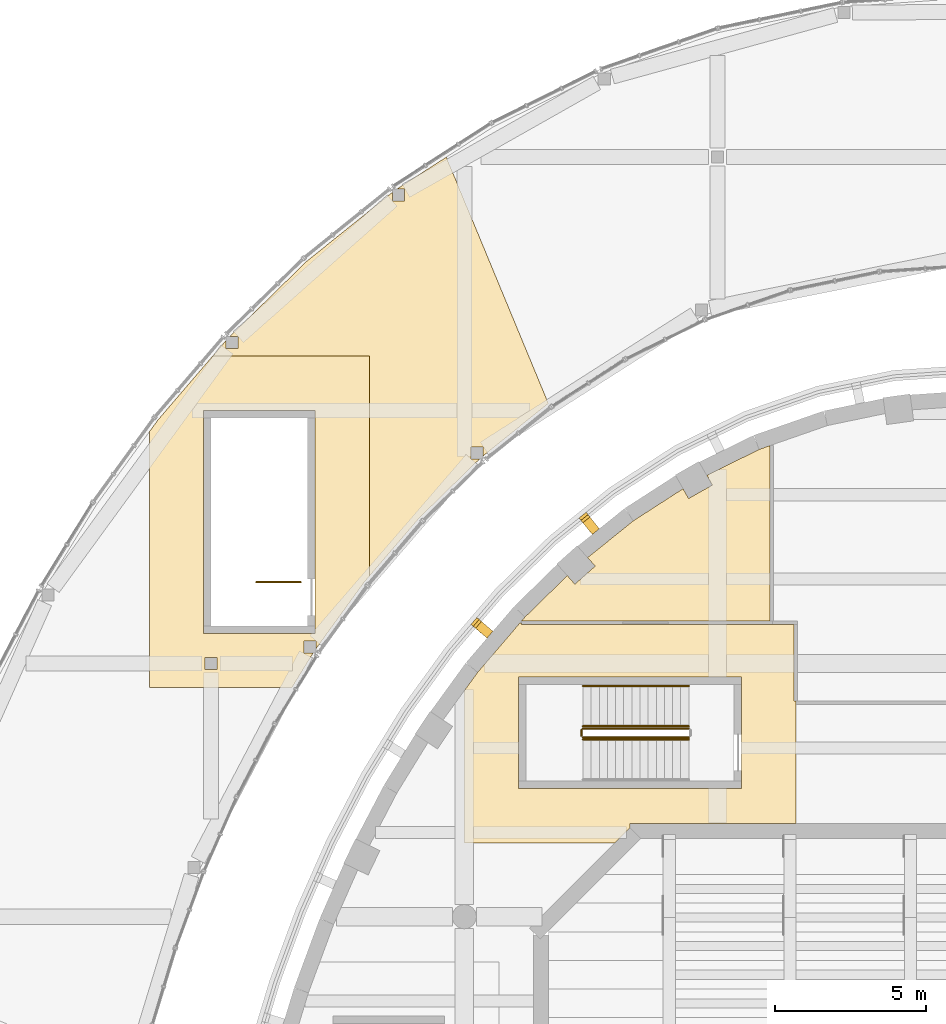
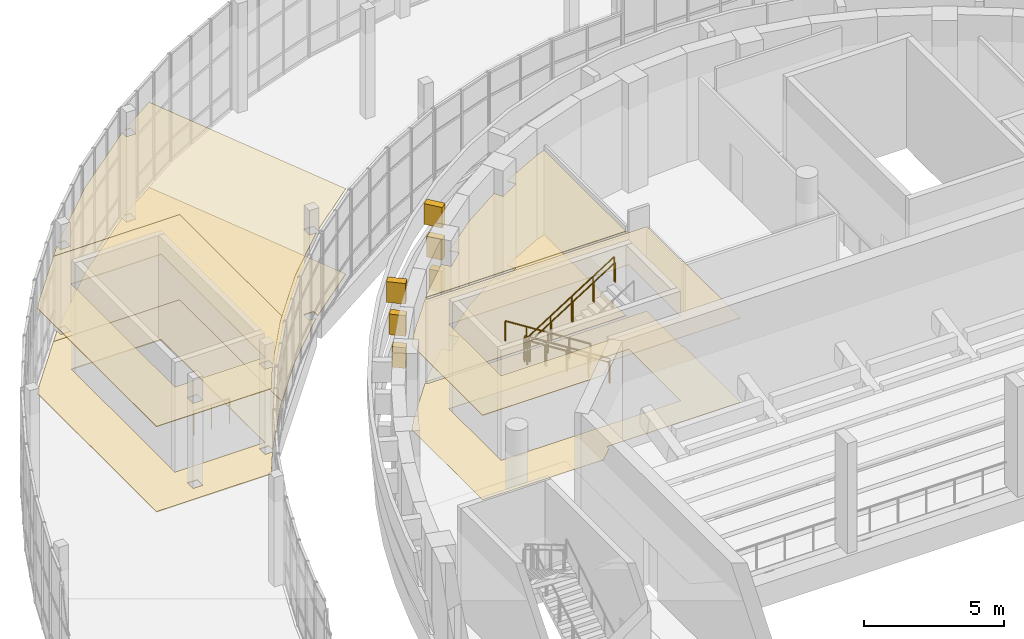
# One storey, part 95 of 103: 14 coverings, 7 railings.
"""IFC4 building model written with IfcOpenShell, lengths in metres."""

import ifcopenshell
import ifcopenshell.guid

model = None  # the IFC model being written
_history = None  # IfcOwnerHistory: only IFC2X3 demands one
_inside = {}  # id of a spatial element -> (the spatial element, [elements in it])
_under = {}  # id of a project, library or spatial element -> (it, [spatial elements below it])
_declared = {}  # id of a project -> (the project, [libraries it declares])
_typed = {}  # id of a type object -> (the type object, [elements of that type])
_made_of = {}  # id of a material, layer set ... -> (it, [elements and type objects made of it])


def new_model(schema):
    """Start an empty IFC model of exactly this schema.

    Asked for "IFC4X3", IfcOpenShell would pick the latest addendum, in which some entities
    have other attributes; the version numbers below select the first issue.
    IFC2X3 requires an IfcOwnerHistory on every rooted entity: one is made here for all.
    """
    global model, _history
    if schema == "IFC4X3":
        model = ifcopenshell.file(schema_version=(4, 3, 0, 0))
    else:
        model = ifcopenshell.file(schema=schema)
    _inside.clear()
    _under.clear()
    _declared.clear()
    _typed.clear()
    _made_of.clear()
    _history = None
    if model.schema == "IFC2X3":
        org = make("IfcOrganization", Name="unknown")
        user = make(
            "IfcPersonAndOrganization",
            ThePerson=make("IfcPerson", FamilyName="unknown"),
            TheOrganization=org,
        )
        app = make(
            "IfcApplication",
            ApplicationDeveloper=org,
            Version="unknown",
            ApplicationFullName="unknown",
            ApplicationIdentifier="unknown",
        )
        _history = make(
            "IfcOwnerHistory",
            OwningUser=user,
            OwningApplication=app,
            ChangeAction="ADDED",
            CreationDate=0,
        )
    return model


def make(cls, **values):
    """One entity of the class cls with the attributes given. An attribute that is None is left unset."""
    return model.create_entity(
        cls, **{name: value for name, value in values.items() if value is not None}
    )


def rooted(cls, **values):
    """An entity with a GlobalId (a new one), such as an element, a storey or a relation."""
    return make(cls, GlobalId=ifcopenshell.guid.new(), OwnerHistory=_history, **values)


def si_unit(unit_type, name, prefix=None):
    """IfcSIUnit, for example si_unit("LENGTHUNIT", "METRE", prefix="MILLI")."""
    return make("IfcSIUnit", UnitType=unit_type, Prefix=prefix, Name=name)


def assignment(units):
    """IfcUnitAssignment: the units of a project."""
    return None if units is None else make("IfcUnitAssignment", Units=units)


def point(xyz):
    """IfcCartesianPoint."""
    return None if xyz is None else make("IfcCartesianPoint", Coordinates=xyz)


def direction(xyz):
    """IfcDirection."""
    return None if xyz is None else make("IfcDirection", DirectionRatios=xyz)


def frame(location, z_axis=None, x_axis=None):
    """IfcAxis2Placement3D, a coordinate frame: its origin and axes. An axis left out is left unset."""
    return make(
        "IfcAxis2Placement3D",
        Location=point(location),
        Axis=direction(z_axis),
        RefDirection=direction(x_axis),
    )


def frame_2d(location, x_axis=None):
    """IfcAxis2Placement2D, a coordinate frame in the plane: its origin and x axis."""
    return make(
        "IfcAxis2Placement2D", Location=point(location), RefDirection=direction(x_axis)
    )


def origin():
    """The frame at (0, 0, 0) with its axes left unset."""
    return frame((0.0, 0.0, 0.0))


def origin_2d():
    """The frame at (0, 0) in the plane with its x axis left unset."""
    return frame_2d((0.0, 0.0))


def place(relative_to, where):
    """IfcLocalPlacement: puts the frame where relative to a parent placement (None: the world)."""
    return make(
        "IfcLocalPlacement", PlacementRelTo=relative_to, RelativePlacement=where
    )


def context(
    kind, dimensions, precision=None, world=None, true_north=None, identifier=None
):
    """IfcGeometricRepresentationContext, for example the 3D "Model" context."""
    return make(
        "IfcGeometricRepresentationContext",
        ContextIdentifier=identifier,
        ContextType=kind,
        CoordinateSpaceDimension=dimensions,
        Precision=precision,
        WorldCoordinateSystem=world,
        TrueNorth=true_north,
    )


def subcontext(parent, identifier, kind, view, scale=None):
    """IfcGeometricRepresentationSubContext, for example "Body" below "Model"."""
    return make(
        "IfcGeometricRepresentationSubContext",
        ContextIdentifier=identifier,
        ContextType=kind,
        ParentContext=parent,
        TargetScale=scale,
        TargetView=view,
    )


def project(units=None, contexts=None):
    """IfcProject with its units and contexts."""
    return rooted(
        "IfcProject",
        Name="project",
        RepresentationContexts=contexts,
        UnitsInContext=assignment(units),
    )


def spatial(cls, under=None, at=None, **own):
    """A site, building, storey or space (cls), placed at a placement, below another one or the project."""
    s = rooted(cls, ObjectPlacement=at, **own)
    if under is not None:
        _under.setdefault(under.id(), (under, []))[1].append(s)
    return s


def polyline(points):
    """IfcPolyline through the points."""
    return make("IfcPolyline", Points=[point(p) for p in points])


def profile(cls, at=None, kind="AREA", **sizes):
    """A parametric profile (cls). Its sizes go by their IFC names, for example OverallWidth=200.0."""
    return make(cls, ProfileType=kind, Position=at, **sizes)


def rectangle(**sizes):
    """IfcRectangleProfileDef."""
    return profile("IfcRectangleProfileDef", **sizes)


def circle(**sizes):
    """IfcCircleProfileDef."""
    return profile("IfcCircleProfileDef", **sizes)


def outline(outer, holes=None, kind="AREA"):
    """IfcArbitraryClosedProfileDef: a profile drawn as a closed curve; with holes, ...WithVoids."""
    if holes is None:
        return make("IfcArbitraryClosedProfileDef", ProfileType=kind, OuterCurve=outer)
    return make(
        "IfcArbitraryProfileDefWithVoids",
        ProfileType=kind,
        OuterCurve=outer,
        InnerCurves=holes,
    )


def extrude(swept, where, along, depth):
    """IfcExtrudedAreaSolid: the profile swept, set in the frame where, extruded along a direction by depth."""
    return make(
        "IfcExtrudedAreaSolid",
        SweptArea=swept,
        Position=where,
        ExtrudedDirection=direction(along),
        Depth=depth,
    )


def shape(context_of_items, identifier, shape_type, items):
    """IfcShapeRepresentation: the items that make up one representation, for example the "Body"."""
    return make(
        "IfcShapeRepresentation",
        ContextOfItems=context_of_items,
        RepresentationIdentifier=identifier,
        RepresentationType=shape_type,
        Items=items,
    )


def material(Name=None, Category=None):
    """IfcMaterial."""
    return make("IfcMaterial", Name=Name, Category=Category)


def layer(
    of_material, thickness, ventilated=None, Name=None, Category=None, Priority=None
):
    """IfcMaterialLayer: one layer of a wall or slab, of a material (None: an air gap)."""
    return make(
        "IfcMaterialLayer",
        Material=of_material,
        LayerThickness=thickness,
        IsVentilated=ventilated,
        Name=Name,
        Category=Category,
        Priority=Priority,
    )


def layer_set(layers, Name=None):
    """IfcMaterialLayerSet."""
    return make("IfcMaterialLayerSet", MaterialLayers=layers, LayerSetName=Name)


def made_of(thing, what):
    """Note that an element or type object is made of a material, layer set ...; save() writes the relation."""
    if what is not None:
        _made_of.setdefault(what.id(), (what, []))[1].append(thing)
    return thing


def type_object(cls, material=None, **own):
    """A type object (cls), such as IfcWallType, which elements share."""
    return made_of(rooted(cls, **own), material)


def element(
    cls,
    number,
    at=None,
    inside=None,
    cuts=None,
    type_object=None,
    material=None,
    context=None,
    identifier="Body",
    shape_type=None,
    held_by="IfcProductDefinitionShape",
    body=None,
    shapes=None,
    **own,
):
    """One element of the class cls, such as IfcWall. Its Tag is "e" and its number.

    at: its placement. inside: the storey or other place that contains it. cuts: it is an
    opening in that element (IfcRelVoidsElement). A single representation is given by context,
    identifier, shape_type and body (its items); several are given by shapes. held_by: the class
    of the entity that holds the representations. save() writes the other relations.
    """
    e = rooted(cls, Tag="e%d" % number, ObjectPlacement=at, **own)
    if body is not None:
        shapes = [shape(context, identifier, shape_type, body)]
    if shapes is not None:
        e.Representation = make(held_by, Representations=shapes)
    if inside is not None:
        _inside.setdefault(inside.id(), (inside, []))[1].append(e)
    if cuts is not None:
        rooted(
            "IfcRelVoidsElement", RelatingBuildingElement=cuts, RelatedOpeningElement=e
        )
    if type_object is not None:
        _typed.setdefault(type_object.id(), (type_object, []))[1].append(e)
    return made_of(e, material)


def aggregate(whole, parts):
    """IfcRelAggregates: a whole, such as a stair, and the parts it consists of."""
    return rooted("IfcRelAggregates", RelatingObject=whole, RelatedObjects=parts)


def save(model, path):
    """Write the relations noted so far, then the file.

    IfcRelAggregates (storeys below a building ...), IfcRelContainedInSpatialStructure (elements
    in a storey), IfcRelDefinesByType, IfcRelAssociatesMaterial and IfcRelDeclares: one each for
    every whole, place, type object, material and project.
    """
    for whole, parts in _under.values():
        aggregate(whole, parts)
    for where, things in _inside.values():
        rooted(
            "IfcRelContainedInSpatialStructure",
            RelatedElements=things,
            RelatingStructure=where,
        )
    for kind, things in _typed.values():
        rooted("IfcRelDefinesByType", RelatedObjects=things, RelatingType=kind)
    for what, things in _made_of.values():
        rooted("IfcRelAssociatesMaterial", RelatedObjects=things, RelatingMaterial=what)
    for by, libraries in _declared.values():
        rooted("IfcRelDeclares", RelatingContext=by, RelatedDefinitions=libraries)
    model.write(path)


model = new_model("IFC4")

# Units and contexts
model_context = context("Model", 3, precision=1e-05, world=origin(), true_north=direction((0.0, 1.0)))
body_context = subcontext(model_context, "Body", "Model", "MODEL_VIEW")
ifc_project = project(units=[si_unit("LENGTHUNIT", "METRE"), si_unit("AREAUNIT", "SQUARE_METRE"), si_unit("VOLUMEUNIT", "CUBIC_METRE"), si_unit("PLANEANGLEUNIT", "RADIAN"), si_unit("MASSUNIT", "GRAM", prefix="KILO")], contexts=[model_context])

# Site, building, storey
site_placement = place(None, origin())
site = spatial("IfcSite", under=ifc_project, at=site_placement, CompositionType="ELEMENT")
building_placement = place(site_placement, origin())
building = spatial("IfcBuilding", under=site, at=building_placement, Name="Larchfold Concert Hall", CompositionType="ELEMENT")
storey_placement = place(building_placement, frame((0.0, 0.0, 9.60009765625)))
storey = spatial("IfcBuildingStorey", under=building, at=storey_placement, Name="L02", CompositionType="ELEMENT", Elevation=9.60009765625)

# Coverings
ifc_material_1 = material(Name="Mineral fibre ceiling tile")
ifc_layer_1 = layer(ifc_material_1, 0.02001953125)
ifc_layer_set_1 = layer_set([ifc_layer_1], Name="Mineral fibre ceiling tile")
covering_type_1 = type_object("IfcCoveringType", Name="Ceiling mineral fibre tile 20", PredefinedType="CEILING", material=ifc_layer_set_1)
covering_1_placement = place(storey_placement, frame((0.0, 0.0, 3.679931640625)))
element("IfcCovering", 1, at=covering_1_placement, inside=storey, type_object=covering_type_1, Name="Ceiling Corridor 01", PredefinedType="CEILING", context=body_context, shape_type="SweptSolid", body=[
    extrude(outline(polyline([(27.69091796875, 111.1494140625), (27.646484375, 111.1494140625), (26.246337890625, 109.514892578125), (25.80078125, 108.899658203125), (25.801025390625, 103.850830078125), (30.797119140625, 103.8505859375), (31.300048828125, 104.353515625), (31.300048828125, 104.5), (36.799072265625, 104.5), (36.799072265625, 108.56494140625), (36.736572265625, 108.56494140625), (36.736572265625, 111.08642578125), (36.02099609375, 111.08642578125), (36.02001953125, 111.149169921875), (36.02001953125, 111.08642578125), (27.69091796875, 111.08642578125), (27.69091796875, 111.1494140625)]), holes=[polyline([(27.60009765625, 109.35009765625), (35.0, 109.35009765625), (35.0, 105.64990234375), (27.60009765625, 105.64990234375), (27.60009765625, 109.35009765625)])]), origin(), (0.0, 0.0, 1.0), 0.02001953125),
])
ifc_material_2 = material(Name="Plasterboard ceiling lining")
ifc_layer_2 = layer(ifc_material_2, 0.030029296875)
ifc_layer_set_2 = layer_set([ifc_layer_2], Name="Plasterboard ceiling lining")
covering_type_2 = type_object("IfcCoveringType", Name="Ceiling suspended plasterboard 30", PredefinedType="CEILING", material=ifc_layer_set_2)
covering_2_placement = place(storey_placement, frame((0.0, 0.0, 3.669921875)))
element("IfcCovering", 2, at=covering_2_placement, inside=storey, type_object=covering_type_2, Name="Ceiling Balcony Cloakroom", PredefinedType="CEILING", context=body_context, shape_type="SweptSolid", body=[
    extrude(outline(polyline([(27.8154296875, 111.3466796875), (27.699462890625, 111.21142578125), (36.0, 111.21142578125), (35.949951171875, 111.215087890625), (35.949951171875, 117.03271484375), (35.59130859375, 116.907958984375), (33.841064453125, 116.04443359375), (34.025390625, 115.72021484375), (33.2431640625, 115.275390625), (33.057861328125, 115.600830078125), (31.41455078125, 114.541748046875), (29.89013671875, 113.314453125), (30.140869140625, 113.03271484375), (29.46875, 112.434326171875), (29.217041015625, 112.717041015625), (27.8154296875, 111.3466796875)])), origin(), (0.0, 0.0, 1.0), 0.030029296875),
])
covering_3_placement = place(storey_placement, frame((0.0, 0.0, 3.719970703125)))
element("IfcCovering", 3, at=covering_3_placement, inside=storey, type_object=covering_type_2, Name="Ceiling Foyer 01", PredefinedType="CEILING", context=body_context, shape_type="SweptSolid", body=[
    extrude(outline(polyline([(20.0810546875, 109.0009765625), (20.788818359375, 110.151123046875), (20.47802734375, 110.151123046875), (20.47802734375, 110.551025390625), (20.8779296875, 110.551025390625), (20.8779296875, 110.285888671875), (22.4736328125, 112.489013671875), (22.6494140625, 112.694091796875), (22.649169921875, 119.9990234375), (17.451416015625, 119.999267578125), (15.6357421875, 117.87939453125), (15.350341796875, 117.485595703125), (15.350830078125, 109.0009765625), (20.0810546875, 109.0009765625)]), holes=[polyline([(17.14990234375, 110.800048828125), (17.14990234375, 118.199951171875), (20.85009765625, 118.199951171875), (20.85009765625, 110.800048828125), (17.14990234375, 110.800048828125)]), polyline([(17.599853515625, 109.60009765625), (17.199951171875, 109.60009765625), (17.199951171875, 110.0), (17.599853515625, 110.0), (17.599853515625, 109.60009765625)])]), origin(), (0.0, 0.0, 1.0), 0.030029296875),
])
covering_4_placement = place(storey_placement, frame((0.0, 0.0, 3.719970703125)))
element("IfcCovering", 4, at=covering_4_placement, inside=storey, type_object=covering_type_2, Name="Ceiling Winter Garden Foyer North West 01", PredefinedType="CEILING", context=body_context, shape_type="SweptSolid", body=[
    extrude(outline(polyline([(17.89697265625, 120.519287109375), (17.4521484375, 120.0), (22.64794921875, 119.996337890625), (22.650146484375, 112.69482421875), (24.3076171875, 114.630126953125), (26.307861328125, 116.5859375), (26.029052734375, 116.5859375), (26.029052734375, 116.98583984375), (26.428955078125, 116.98583984375), (26.428955078125, 116.6904296875), (28.5888671875, 118.4287109375), (25.203369140625, 126.599365234375), (23.561279296875, 125.541015625), (23.821044921875, 125.541015625), (23.821044921875, 125.14111328125), (23.421142578125, 125.14111328125), (23.421142578125, 125.4375), (20.566650390625, 123.14013671875), (18.01513671875, 120.64501953125), (18.296875, 120.64501953125), (18.296875, 120.2451171875), (17.89697265625, 120.2451171875), (17.89697265625, 120.519287109375)])), origin(), (0.0, 0.0, 1.0), 0.030029296875),
])
ifc_material_3 = material(Name="Polished terrazzo")
ifc_layer_3 = layer(ifc_material_3, 0.0400390625)
ifc_layer_set_3 = layer_set([ifc_layer_3], Name="Polished terrazzo")
covering_type_3 = type_object("IfcCoveringType", Name="Floor finish terrazzo 40", PredefinedType="FLOORING", material=ifc_layer_set_3)
covering_5_placement = place(storey_placement, origin())
element("IfcCovering", 5, at=covering_5_placement, inside=storey, type_object=covering_type_3, Name="Floor finish Foyer 01", PredefinedType="FLOORING", context=body_context, shape_type="SweptSolid", body=[
    extrude(outline(polyline([(20.0810546875, 109.0009765625), (20.788818359375, 110.151123046875), (20.47802734375, 110.151123046875), (20.47802734375, 110.551025390625), (20.8779296875, 110.551025390625), (20.8779296875, 110.285888671875), (22.4736328125, 112.489013671875), (22.6494140625, 112.694091796875), (22.649169921875, 119.9990234375), (17.451416015625, 119.999267578125), (15.6357421875, 117.87939453125), (15.350341796875, 117.485595703125), (15.350830078125, 109.0009765625), (20.0810546875, 109.0009765625)]), holes=[polyline([(17.14990234375, 110.800048828125), (17.14990234375, 118.199951171875), (20.85009765625, 118.199951171875), (20.85009765625, 110.800048828125), (17.14990234375, 110.800048828125)]), polyline([(17.599853515625, 109.60009765625), (17.199951171875, 109.60009765625), (17.199951171875, 110.0), (17.599853515625, 110.0), (17.599853515625, 109.60009765625)])]), origin(), (0.0, 0.0, 1.0), 0.0400390625),
])
covering_6_placement = place(storey_placement, origin())
element("IfcCovering", 6, at=covering_6_placement, inside=storey, type_object=covering_type_3, Name="Floor finish Winter Garden Foyer North West 01", PredefinedType="FLOORING", context=body_context, shape_type="SweptSolid", body=[
    extrude(outline(polyline([(17.89697265625, 120.519287109375), (17.4521484375, 120.0), (22.64794921875, 119.996337890625), (22.650146484375, 112.69482421875), (24.3076171875, 114.630126953125), (26.307861328125, 116.5859375), (26.029052734375, 116.5859375), (26.029052734375, 116.98583984375), (26.428955078125, 116.98583984375), (26.428955078125, 116.6904296875), (28.5888671875, 118.4287109375), (25.203369140625, 126.599365234375), (23.561279296875, 125.541015625), (23.821044921875, 125.541015625), (23.821044921875, 125.14111328125), (23.421142578125, 125.14111328125), (23.421142578125, 125.4375), (20.566650390625, 123.14013671875), (18.01513671875, 120.64501953125), (18.296875, 120.64501953125), (18.296875, 120.2451171875), (17.89697265625, 120.2451171875), (17.89697265625, 120.519287109375)])), origin(), (0.0, 0.0, 1.0), 0.0400390625),
])
ifc_material_4 = material(Name="Linoleum sheet")
ifc_layer_4 = layer(ifc_material_4, 0.02001953125)
ifc_layer_set_4 = layer_set([ifc_layer_4], Name="Linoleum sheet")
covering_type_4 = type_object("IfcCoveringType", Name="Floor finish vinyl 20", PredefinedType="FLOORING", material=ifc_layer_set_4)
covering_7_placement = place(storey_placement, origin())
element("IfcCovering", 7, at=covering_7_placement, inside=storey, type_object=covering_type_4, Name="Floor finish Corridor 01", PredefinedType="FLOORING", context=body_context, shape_type="SweptSolid", body=[
    extrude(outline(polyline([(27.69091796875, 111.1494140625), (27.646484375, 111.1494140625), (26.246337890625, 109.514892578125), (25.80078125, 108.899658203125), (25.801025390625, 103.850830078125), (30.797119140625, 103.8505859375), (31.300048828125, 104.353515625), (31.300048828125, 104.5), (36.799072265625, 104.5), (36.799072265625, 108.56494140625), (36.736572265625, 108.56494140625), (36.736572265625, 111.08642578125), (36.02099609375, 111.08642578125), (36.02001953125, 111.149169921875), (36.02001953125, 111.08642578125), (27.69091796875, 111.08642578125), (27.69091796875, 111.1494140625)]), holes=[polyline([(27.60009765625, 109.35009765625), (35.0, 109.35009765625), (35.0, 105.64990234375), (27.60009765625, 105.64990234375), (27.60009765625, 109.35009765625)])]), origin(), (0.0, 0.0, 1.0), 0.02001953125),
])
covering_8_placement = place(storey_placement, origin())
element("IfcCovering", 8, at=covering_8_placement, inside=storey, type_object=covering_type_4, Name="Floor finish Balcony Cloakroom", PredefinedType="FLOORING", context=body_context, shape_type="SweptSolid", body=[
    extrude(outline(polyline([(27.8154296875, 111.3466796875), (27.699462890625, 111.21142578125), (36.0, 111.21142578125), (35.949951171875, 111.215087890625), (35.949951171875, 117.03271484375), (35.59130859375, 116.907958984375), (33.841064453125, 116.04443359375), (34.025390625, 115.72021484375), (33.2431640625, 115.275390625), (33.057861328125, 115.600830078125), (31.41455078125, 114.541748046875), (29.89013671875, 113.314453125), (30.140869140625, 113.03271484375), (29.46875, 112.434326171875), (29.217041015625, 112.717041015625), (27.8154296875, 111.3466796875)])), origin(), (0.0, 0.0, 1.0), 0.02001953125),
])
ifc_material_5 = material(Name="Galvanised steel bracket", Category="steel")
ifc_layer_5 = layer(ifc_material_5, 0.300048828125)
ifc_layer_set_5 = layer_set([ifc_layer_5], Name="Galvanised steel bracket")
covering_type_5 = type_object("IfcCoveringType", Name="Ring support bracket", PredefinedType="CLADDING", material=ifc_layer_set_5)
for number, where, z_axis, x_axis, name in (
    (9, (30.00732421875, 114.37158203125, 1.349853515625), (0.0, 0.0, 1.0), (-0.626932967102, 0.77907320244, 0.0), "Ring bracket BR-R03-13"),
    (10, (26.4619140625, 110.91943359375, 1.349853515625), (0.0, 0.0, 1.0), (-0.759502249096, 0.650504676093, 0.0), "Ring bracket BR-R03-14"),
):
    element("IfcCovering", number, at=place(storey_placement, frame(where, z_axis=z_axis, x_axis=x_axis)), inside=storey, type_object=covering_type_5, Name=name, PredefinedType="CLADDING", context=body_context, shape_type="SweptSolid", body=[
        extrude(rectangle(XDim=0.5, YDim=0.300048828125, at=origin_2d()), origin(), (0.0, 0.0, 1.0), 0.89990234375),
    ])
for number, where, z_axis, x_axis, name in (
    (11, (29.975830078125, 114.41064453125, 2.75), (0.0, 0.0, 1.0), (-0.626932967102, 0.77907320244, 0.0), "Ring bracket BR-R04-13"),
    (12, (26.423828125, 110.951904296875, 2.75), (0.0, 0.0, 1.0), (-0.759502249096, 0.650504676093, 0.0), "Ring bracket BR-R04-14"),
):
    element("IfcCovering", number, at=place(storey_placement, frame(where, z_axis=z_axis, x_axis=x_axis)), inside=storey, type_object=covering_type_5, Name=name, PredefinedType="CLADDING", context=body_context, shape_type="SweptSolid", body=[
        extrude(rectangle(XDim=0.60009765625, YDim=0.300048828125, at=origin_2d()), origin(), (0.0, 0.0, 1.0), 0.89990234375),
    ])
for number, where, z_axis, x_axis, name in (
    (13, (29.944580078125, 114.449462890625, 4.14990234375), (0.0, 0.0, 1.0), (-0.626932967102, 0.77907320244, 0.0), "Ring bracket BR-R05-13"),
    (14, (26.385986328125, 110.984375, 4.14990234375), (0.0, 0.0, 1.0), (-0.759502249096, 0.650504676093, 0.0), "Ring bracket BR-R05-14"),
):
    element("IfcCovering", number, at=place(storey_placement, frame(where, z_axis=z_axis, x_axis=x_axis)), inside=storey, type_object=covering_type_5, Name=name, PredefinedType="CLADDING", context=body_context, shape_type="SweptSolid", body=[
        extrude(rectangle(XDim=0.699951171875, YDim=0.300048828125, at=origin_2d()), origin(), (0.0, 0.0, 1.0), 0.89990234375),
    ])

# Railings
ifc_material_6 = material(Name="Stainless steel balustrade", Category="steel")
railing_type_1 = type_object("IfcRailingType", Name="Stair guard 1100", PredefinedType="GUARDRAIL", material=ifc_material_6)
railing_1_placement = place(storey_placement, frame((33.25, 107.650146484375, 0.17138671875)))
element("IfcRailing", 15, at=railing_1_placement, inside=storey, type_object=railing_type_1, Name="Guard GR0012", PredefinedType="GUARDRAIL", context=body_context, shape_type="SweptSolid", body=[
    extrude(circle(Radius=0.02392578125, at=origin_2d()), frame((0.0, 0.0, 1.076171875), z_axis=(-0.844219563411, 0.0, 0.53599750816), x_axis=(0.0, -1.0, 0.0)), (0.0, 0.0, 1.0), 4.15771484375),
    extrude(circle(Radius=0.02099609375, at=origin_2d()), origin(), (0.0, 0.0, 1.0), 1.052001953125),
    extrude(circle(Radius=0.02099609375, at=origin_2d()), frame((-0.87744140625, 0.0, 0.55712890625)), (0.0, 0.0, 1.0), 1.052001953125),
    extrude(circle(Radius=0.02099609375, at=origin_2d()), frame((-1.7548828125, 0.0, 1.1142578125)), (0.0, 0.0, 1.0), 1.052001953125),
    extrude(circle(Radius=0.02099609375, at=origin_2d()), frame((-2.632568359375, 0.0, 1.67138671875)), (0.0, 0.0, 1.0), 1.052001953125),
    extrude(circle(Radius=0.02099609375, at=origin_2d()), frame((-3.510009765625, 0.0, 2.228515625)), (0.0, 0.0, 1.0), 1.052001953125),
])
railing_2_placement = place(storey_placement, frame((29.68994140625, 107.60009765625, 2.39990234375)))
element("IfcRailing", 16, at=railing_2_placement, inside=storey, type_object=railing_type_1, Name="Guard GR0013", PredefinedType="GUARDRAIL", context=body_context, shape_type="SweptSolid", body=[
    extrude(circle(Radius=0.02392578125, at=origin_2d()), frame((0.0, 0.0, 1.076171875), z_axis=(0.0, -1.0, 0.0), x_axis=(1.0, 0.0, 0.0)), (0.0, 0.0, 1.0), 0.199951171875),
    extrude(circle(Radius=0.02099609375, at=origin_2d()), origin(), (0.0, 0.0, 1.0), 1.052001953125),
    extrude(circle(Radius=0.02099609375, at=origin_2d()), frame((0.0, -0.199951171875, 0.0)), (0.0, 0.0, 1.0), 1.052001953125),
])
railing_3_placement = place(storey_placement, frame((29.739990234375, 107.35009765625, 2.5712890625)))
element("IfcRailing", 17, at=railing_3_placement, inside=storey, type_object=railing_type_1, Name="Guard GR0014", PredefinedType="GUARDRAIL", context=body_context, shape_type="SweptSolid", body=[
    extrude(circle(Radius=0.02392578125, at=origin_2d()), frame((0.0, 0.0, 1.076171875), z_axis=(0.844219563411, 0.0, 0.53599750816), x_axis=(0.0, 1.0, 0.0)), (0.0, 0.0, 1.0), 4.15771484375),
    extrude(circle(Radius=0.02099609375, at=origin_2d()), origin(), (0.0, 0.0, 1.0), 1.052001953125),
    extrude(circle(Radius=0.02099609375, at=origin_2d()), frame((0.87744140625, 0.0, 0.55712890625)), (0.0, 0.0, 1.0), 1.052001953125),
    extrude(circle(Radius=0.02099609375, at=origin_2d()), frame((1.7548828125, 0.0, 1.1142578125)), (0.0, 0.0, 1.0), 1.052001953125),
    extrude(circle(Radius=0.02099609375, at=origin_2d()), frame((2.632568359375, 0.0, 1.67138671875)), (0.0, 0.0, 1.0), 1.052001953125),
    extrude(circle(Radius=0.02099609375, at=origin_2d()), frame((3.510009765625, 0.0, 2.228515625)), (0.0, 0.0, 1.0), 1.052001953125),
])
railing_4_placement = place(storey_placement, frame((20.375, 112.5, 0.0)))
element("IfcRailing", 18, at=railing_4_placement, inside=storey, type_object=railing_type_1, Name="Guard GR0086", PredefinedType="GUARDRAIL", context=body_context, shape_type="SweptSolid", body=[
    extrude(circle(Radius=0.02392578125, at=origin_2d()), frame((0.0, 0.0, 1.076171875), z_axis=(-1.0, 0.0, 0.0), x_axis=(0.0, -1.0, 0.0)), (0.0, 0.0, 1.0), 1.474853515625),
    extrude(circle(Radius=0.02099609375, at=origin_2d()), origin(), (0.0, 0.0, 1.0), 1.052001953125),
    extrude(circle(Radius=0.02099609375, at=origin_2d()), frame((-0.7373046875, 0.0, 0.0)), (0.0, 0.0, 1.0), 1.052001953125),
    extrude(circle(Radius=0.02099609375, at=origin_2d()), frame((-1.474853515625, 0.0, 0.0)), (0.0, 0.0, 1.0), 1.052001953125),
])
ifc_material_7 = material(Name="Stainless steel handrail", Category="steel")
railing_type_2 = type_object("IfcRailingType", Name="Stair handrail 900", PredefinedType="HANDRAIL", material=ifc_material_7)
for number, where, name in (
    (19, (33.25, 109.050048828125, 0.17138671875), "Handrail HR0009"),
    (20, (33.25, 107.72021484375, 0.17138671875), "Handrail HR0011"),
):
    element("IfcRailing", number, at=place(storey_placement, frame(where)), inside=storey, type_object=railing_type_2, Name=name, PredefinedType="HANDRAIL", context=body_context, shape_type="SweptSolid", body=[
        extrude(circle(Radius=0.02392578125, at=origin_2d()), frame((0.0, 0.0, 0.8759765625), z_axis=(-0.844219563411, 0.0, 0.53599750816), x_axis=(0.0, -1.0, 0.0)), (0.0, 0.0, 1.0), 4.15771484375),
        extrude(circle(Radius=0.02099609375, at=origin_2d()), origin(), (0.0, 0.0, 1.0), 0.851806640625),
        extrude(circle(Radius=0.02099609375, at=origin_2d()), frame((-0.87744140625, 0.0, 0.55712890625)), (0.0, 0.0, 1.0), 0.851806640625),
        extrude(circle(Radius=0.02099609375, at=origin_2d()), frame((-1.7548828125, 0.0, 1.1142578125)), (0.0, 0.0, 1.0), 0.851806640625),
        extrude(circle(Radius=0.02099609375, at=origin_2d()), frame((-2.632568359375, 0.0, 1.67138671875)), (0.0, 0.0, 1.0), 0.851806640625),
        extrude(circle(Radius=0.02099609375, at=origin_2d()), frame((-3.510009765625, 0.0, 2.228515625)), (0.0, 0.0, 1.0), 0.851806640625),
    ])
railing_5_placement = place(storey_placement, frame((29.739990234375, 107.280029296875, 2.5712890625)))
element("IfcRailing", 21, at=railing_5_placement, inside=storey, type_object=railing_type_2, Name="Handrail HR0012", PredefinedType="HANDRAIL", context=body_context, shape_type="SweptSolid", body=[
    extrude(circle(Radius=0.02392578125, at=origin_2d()), frame((0.0, 0.0, 0.8759765625), z_axis=(0.844219563411, 0.0, 0.53599750816), x_axis=(0.0, 1.0, 0.0)), (0.0, 0.0, 1.0), 4.15771484375),
    extrude(circle(Radius=0.02099609375, at=origin_2d()), origin(), (0.0, 0.0, 1.0), 0.851806640625),
    extrude(circle(Radius=0.02099609375, at=origin_2d()), frame((0.87744140625, 0.0, 0.55712890625)), (0.0, 0.0, 1.0), 0.851806640625),
    extrude(circle(Radius=0.02099609375, at=origin_2d()), frame((1.7548828125, 0.0, 1.1142578125)), (0.0, 0.0, 1.0), 0.851806640625),
    extrude(circle(Radius=0.02099609375, at=origin_2d()), frame((2.632568359375, 0.0, 1.67138671875)), (0.0, 0.0, 1.0), 0.851806640625),
    extrude(circle(Radius=0.02099609375, at=origin_2d()), frame((3.510009765625, 0.0, 2.228515625)), (0.0, 0.0, 1.0), 0.851806640625),
])

save(model, "model.ifc")
